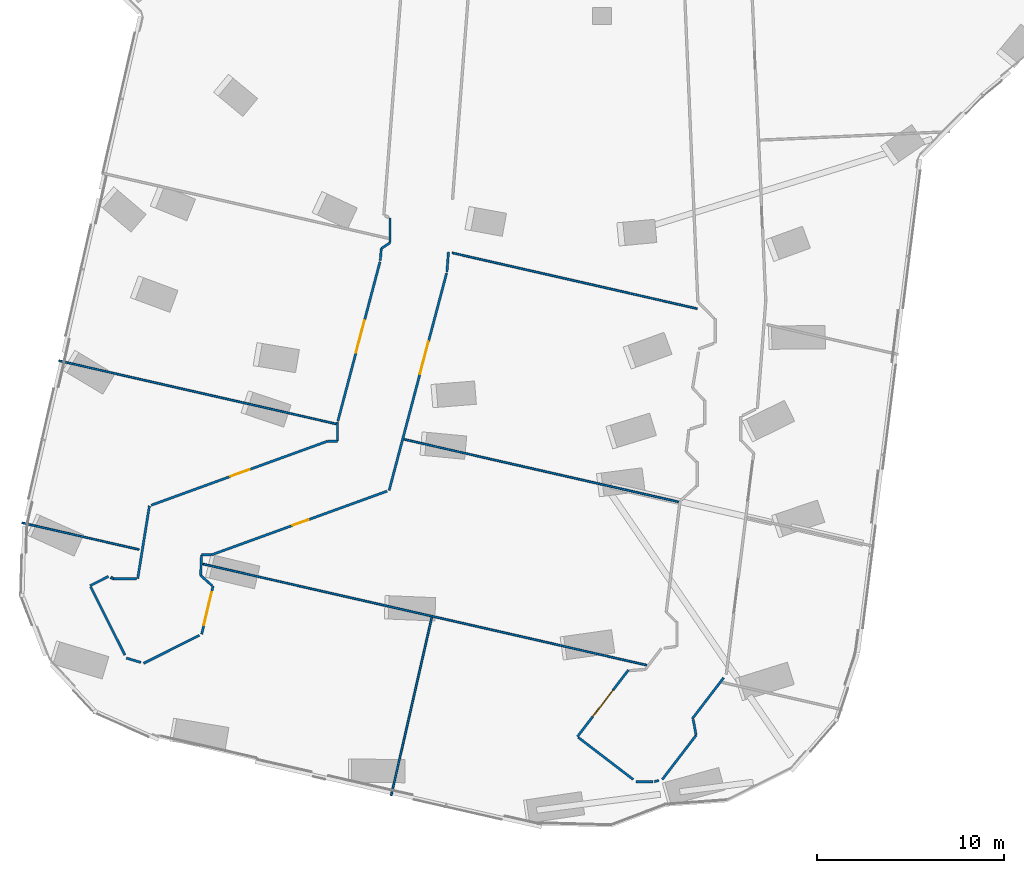
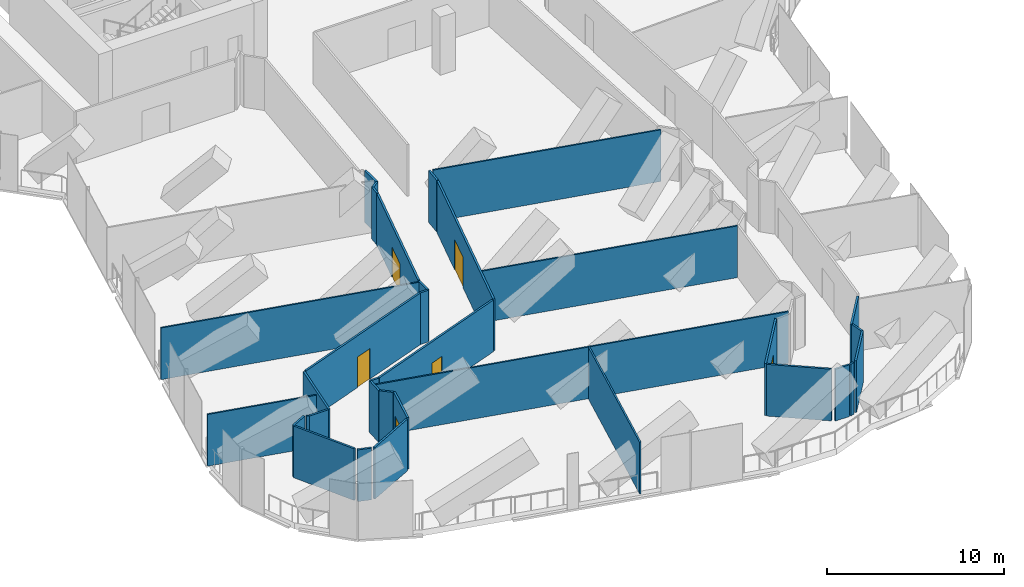
# One storey, part 20 of 29: 34 walls, 6 doors, 6 openings.
"""IFC4 building model written with IfcOpenShell, lengths in metres."""

from ifc_helpers import new_model, si_unit, direction, frame, frame_2d, origin, place, context, subcontext, project, spatial, rectangle, extrude, material, layer, layer_set, type_object, element, fill, save


model = new_model("IFC4")

# Units and contexts
model_context = context("Model", 3, precision=1e-05, world=origin(), true_north=direction((0.0, 1.0)))
body_context = subcontext(model_context, "Body", "Model", "MODEL_VIEW")
ifc_project = project(units=[si_unit("LENGTHUNIT", "METRE"), si_unit("AREAUNIT", "SQUARE_METRE"), si_unit("VOLUMEUNIT", "CUBIC_METRE"), si_unit("PLANEANGLEUNIT", "RADIAN"), si_unit("MASSUNIT", "GRAM", prefix="KILO")], contexts=[model_context])

# Site, building, storey
site_placement = place(None, origin())
site = spatial("IfcSite", under=ifc_project, at=site_placement, CompositionType="ELEMENT")
building_placement = place(site_placement, origin())
building = spatial("IfcBuilding", under=site, at=building_placement, Name="Orlundy Tower", CompositionType="ELEMENT")
storey_placement = place(building_placement, frame((0.0, 0.0, 184.60009765625)))
storey = spatial("IfcBuildingStorey", under=building, at=storey_placement, Name="L48", CompositionType="ELEMENT", Elevation=184.60009765625)

# Walls
ifc_material_1 = material(Name="Gypsum board partition")
ifc_layer_1 = layer(ifc_material_1, 0.10009765625)
ifc_layer_set_1 = layer_set([ifc_layer_1], Name="Floor partition 100")
wall_type_1 = type_object("IfcWallType", Name="Floor partition 100", PredefinedType="PARTITIONING", material=ifc_layer_set_1)
wall_1_placement = place(storey_placement, frame((-31.049072265625, -45.131103515625, 0.0), z_axis=(0.0, 0.0, 1.0), x_axis=(0.9750242684, -0.222098347653, 0.0)))
element("IfcWall", 1, at=wall_1_placement, inside=storey, type_object=wall_type_1, Name="wall-int-L48-014", PredefinedType="PARTITIONING", context=body_context, shape_type="SweptSolid", body=[
    extrude(rectangle(XDim=6.433837890625, YDim=0.10009765625, at=frame_2d((3.216796875, 0.0))), origin(), (0.0, 0.0, 1.0), 3.559814453125),
])
wall_2_placement = place(storey_placement, frame((-21.364013671875, -47.3369140625, 0.0), z_axis=(0.0, 0.0, 1.0), x_axis=(0.975026141861, -0.222090122894, 0.0)))
element("IfcWall", 2, at=wall_2_placement, inside=storey, type_object=wall_type_1, Name="wall-int-L48-015", PredefinedType="PARTITIONING", context=body_context, shape_type="SweptSolid", body=[
    extrude(rectangle(XDim=24.364501953125, YDim=0.10009765625, at=frame_2d((12.18212890625, 0.0))), origin(), (0.0, 0.0, 1.0), 3.559814453125),
])
wall_3_placement = place(storey_placement, frame((-29.072998046875, -36.452880859375, 0.0), z_axis=(0.0, 0.0, 1.0), x_axis=(0.975016001199, -0.222134638017, 0.0)))
element("IfcWall", 3, at=wall_3_placement, inside=storey, type_object=wall_type_1, Name="wall-int-L48-017", PredefinedType="PARTITIONING", context=body_context, shape_type="SweptSolid", body=[
    extrude(rectangle(XDim=15.225341796875, YDim=0.10009765625, at=frame_2d((7.61279296875, 0.0))), origin(), (0.0, 0.0, 1.0), 3.559814453125),
])
wall_4_placement = place(storey_placement, frame((-10.60498046875, -40.659912109375, 0.0), z_axis=(0.0, 0.0, 1.0), x_axis=(0.975014665888, -0.222140499018, 0.0)))
element("IfcWall", 4, at=wall_4_placement, inside=storey, type_object=wall_type_1, Name="wall-int-L48-018", PredefinedType="PARTITIONING", context=body_context, shape_type="SweptSolid", body=[
    extrude(rectangle(XDim=15.09423828125, YDim=0.10009765625, at=frame_2d((7.547119140625, 0.0))), origin(), (0.0, 0.0, 1.0), 3.559814453125),
])
wall_5_placement = place(storey_placement, frame((-8.014892578125, -30.679931640625, 0.0), z_axis=(0.0, 0.0, 1.0), x_axis=(0.97502357008, -0.222101413298, 0.0)))
element("IfcWall", 5, at=wall_5_placement, inside=storey, type_object=wall_type_1, Name="wall-int-L48-021", PredefinedType="PARTITIONING", context=body_context, shape_type="SweptSolid", body=[
    extrude(rectangle(XDim=13.444580078125, YDim=0.10009765625, at=frame_2d((6.72216796875, 0.0))), origin(), (0.0, 0.0, 1.0), 3.559814453125),
])
wall_6_placement = place(storey_placement, frame((-11.282958984375, -59.736083984375, 0.0), z_axis=(0.0, 0.0, 1.0), x_axis=(0.222142221774, 0.975014273385, 0.0)))
element("IfcWall", 6, at=wall_6_placement, inside=storey, type_object=wall_type_1, Name="wall-int-L48-070", PredefinedType="PARTITIONING", context=body_context, shape_type="SweptSolid", body=[
    extrude(rectangle(XDim=9.800048828125, YDim=0.10009765625, at=frame_2d((4.89990234375, 0.0))), origin(), (0.0, 0.0, 1.0), 3.559814453125),
])
ifc_material_2 = material(Name="Gypsum board partition, double layer")
ifc_layer_2 = layer(ifc_material_2, 0.125)
ifc_layer_set_2 = layer_set([ifc_layer_2], Name="Floor partition 125")
wall_type_2 = type_object("IfcWallType", Name="Floor partition 125", PredefinedType="PARTITIONING", material=ifc_layer_set_2)
wall_7_placement = place(storey_placement, frame((-27.375, -48.552001953125, 0.0), z_axis=(0.0, 0.0, 1.0), x_axis=(0.448858494017, -0.89360284934, 0.0)))
element("IfcWall", 7, at=wall_7_placement, inside=storey, type_object=wall_type_2, Name="wall-int-L48-004", PredefinedType="PARTITIONING", context=body_context, shape_type="SweptSolid", body=[
    extrude(rectangle(XDim=4.094482421875, YDim=0.125, at=frame_2d((2.04736328125, 0.0))), origin(), (0.0, 0.0, 1.0), 3.559814453125),
])
wall_8_placement = place(storey_placement, frame((-1.26708984375, -56.617919921875, 0.0), z_axis=(0.0, 0.0, 1.0), x_axis=(0.793957338067, -0.607973474199, 0.0)))
element("IfcWall", 8, at=wall_8_placement, inside=storey, type_object=wall_type_2, Name="wall-int-L48-008", PredefinedType="PARTITIONING", context=body_context, shape_type="SweptSolid", body=[
    extrude(rectangle(XDim=3.704345703125, YDim=0.125, at=frame_2d((1.85205078125, 0.0))), origin(), (0.0, 0.0, 1.0), 3.559814453125),
])
wall_9_placement = place(storey_placement, frame((4.883056640625, -55.658935546875, 0.0), z_axis=(0.0, 0.0, 1.0), x_axis=(0.183067904458, -0.983100270754, 0.0)))
element("IfcWall", 9, at=wall_9_placement, inside=storey, type_object=wall_type_2, Name="wall-int-L48-009", PredefinedType="PARTITIONING", context=body_context, shape_type="SweptSolid", body=[
    extrude(rectangle(XDim=0.857421875, YDim=0.125, at=frame_2d((0.4287109375, 0.0))), origin(), (0.0, 0.0, 1.0), 3.559814453125),
])
wall_10_placement = place(storey_placement, frame((-26.294921875, -48.053955078125, 0.0), z_axis=(0.0, 0.0, 1.0), x_axis=(0.915946287807, -0.401300881949, 0.0)))
element("IfcWall", 10, at=wall_10_placement, inside=storey, type_object=wall_type_2, Name="wall-int-L48-011", PredefinedType="PARTITIONING", context=body_context, shape_type="SweptSolid", body=[
    extrude(rectangle(XDim=0.159423828125, YDim=0.125, at=frame_2d((0.07958984375, 0.0))), origin(), (0.0, 0.0, 1.0), 3.559814453125),
])
wall_11_placement = place(storey_placement, frame((-25.4560546875, -52.3720703125, 0.0), z_axis=(0.0, 0.0, 1.0), x_axis=(0.957601580573, -0.288095839756, 0.0)))
element("IfcWall", 11, at=wall_11_placement, inside=storey, type_object=wall_type_2, Name="wall-int-L48-012", PredefinedType="PARTITIONING", context=body_context, shape_type="SweptSolid", body=[
    extrude(rectangle(XDim=0.808349609375, YDim=0.125, at=frame_2d((0.404296875, 0.0))), origin(), (0.0, 0.0, 1.0), 3.559814453125),
])
wall_12_placement = place(storey_placement, frame((-21.48095703125, -47.947998046875, 0.0), z_axis=(0.0, 0.0, 1.0), x_axis=(0.745477690797, -0.666530578837, 0.0)))
element("IfcWall", 12, at=wall_12_placement, inside=storey, type_object=wall_type_2, Name="wall-int-L48-013", PredefinedType="PARTITIONING", context=body_context, shape_type="SweptSolid", body=[
    extrude(rectangle(XDim=0.810302734375, YDim=0.125, at=frame_2d((0.4052734375, 0.0))), origin(), (0.0, 0.0, 1.0), 3.559814453125),
])
wall_13_placement = place(storey_placement, frame((1.823974609375, -58.985107421875, 0.0), z_axis=(0.0, 0.0, 1.0), x_axis=(1.0, 0.0, 0.0)))
element("IfcWall", 13, at=wall_13_placement, inside=storey, type_object=wall_type_2, Name="wall-int-L48-023", PredefinedType="PARTITIONING", context=body_context, shape_type="SweptSolid", body=[
    extrude(rectangle(XDim=0.919921875, YDim=0.125, at=frame_2d((0.4599609375, 0.0))), origin(), (0.0, 0.0, 1.0), 3.559814453125),
])
wall_14_placement = place(storey_placement, frame((-26.14892578125, -48.117919921875, 0.0), z_axis=(0.0, 0.0, 1.0), x_axis=(1.0, 0.0, 0.0)))
element("IfcWall", 14, at=wall_14_placement, inside=storey, type_object=wall_type_2, Name="wall-int-L48-025", PredefinedType="PARTITIONING", context=body_context, shape_type="SweptSolid", body=[
    extrude(rectangle(XDim=1.23583984375, YDim=0.125, at=frame_2d((0.617919921875, 0.0))), origin(), (0.0, 0.0, 1.0), 3.559814453125),
])
for number, where, z_axis, x_axis, name in (
    (15, (-21.43505859375, -46.842041015625, 0.0), (0.0, 0.0, 1.0), (1.0, 0.0, 0.0), "wall-int-L48-026"),
    (16, (-14.697021484375, -40.761962890625, 0.0), (0.0, 0.0, 1.0), (1.0, 0.0, 0.0), "wall-int-L48-028"),
):
    element("IfcWall", number, at=place(storey_placement, frame(where, z_axis=z_axis, x_axis=x_axis)), inside=storey, type_object=wall_type_2, Name=name, PredefinedType="PARTITIONING", context=body_context, shape_type="SweptSolid", body=[
        extrude(rectangle(XDim=0.54296875, YDim=0.125, at=frame_2d((0.271484375, 0.0))), origin(), (0.0, 0.0, 1.0), 3.559814453125),
    ])
wall_15_placement = place(storey_placement, frame((-11.81396484375, -30.447021484375, 0.0), z_axis=(0.0, 0.0, 1.0), x_axis=(0.832846512969, 0.553504007064, 0.0)))
element("IfcWall", 17, at=wall_15_placement, inside=storey, type_object=wall_type_2, Name="wall-int-L48-032", PredefinedType="PARTITIONING", context=body_context, shape_type="SweptSolid", body=[
    extrude(rectangle(XDim=0.5654296875, YDim=0.125, at=frame_2d((0.28271484375, 0.0))), origin(), (0.0, 0.0, 1.0), 3.559814453125),
])
wall_16_placement = place(storey_placement, frame((2.805908203125, -58.985107421875, 0.0), z_axis=(0.0, 0.0, 1.0), x_axis=(0.964651529942, 0.263528794974, 0.0)))
element("IfcWall", 18, at=wall_16_placement, inside=storey, type_object=wall_type_2, Name="wall-int-L48-051", PredefinedType="PARTITIONING", context=body_context, shape_type="SweptSolid", body=[
    extrude(rectangle(XDim=0.2509765625, YDim=0.125, at=frame_2d((0.12548828125, 0.0))), origin(), (0.0, 0.0, 1.0), 3.559814453125),
])

# Wall, opening, door
wall_17_placement = place(storey_placement, frame((-11.5048828125, -43.43505859375, 0.0), z_axis=(0.0, 0.0, 1.0), x_axis=(-0.940003814224, -0.341163933095, 0.0)))
wall_17 = element("IfcWall", 19, at=wall_17_placement, inside=storey, type_object=wall_type_2, Name="wall-int-L48-054", PredefinedType="PARTITIONING", context=body_context, shape_type="SweptSolid", body=[
    extrude(rectangle(XDim=9.986328125, YDim=0.125, at=frame_2d((4.9931640625, 0.0))), origin(), (0.0, 0.0, 1.0), 3.559814453125),
])
opening_1_placement = place(wall_17_placement, frame((4.48046875, 0.0, 0.0)))
opening_1 = element("IfcOpeningElement", 20, at=opening_1_placement, cuts=wall_17, Name="Opening 37105", PredefinedType="OPENING", context=body_context, shape_type="SweptSolid", body=[
    extrude(rectangle(XDim=0.89990234375, YDim=2.10009765625, at=frame_2d((0.449951171875, 1.050048828125))), frame((0.0, 0.072509765625, 0.0), z_axis=(0.0, -1.0, 0.0), x_axis=(1.0, 0.0, 0.0)), (0.0, 0.0, 1.0), 0.14501953125),
])
ifc_material_3 = material(Name="Timber door leaf", Category="wood")
door_type_1 = type_object("IfcDoorType", Name="Floor door single 900 FD30S", OperationType="NOTDEFINED", PredefinedType="DOOR", material=ifc_material_3)
door_1_placement = place(opening_1_placement, origin())
door_1 = element("IfcDoor", 21, at=door_1_placement, inside=storey, type_object=door_type_1, Name="Door 37105", OperationType="SINGLE_SWING_LEFT", OverallHeight=2.10009765625, OverallWidth=0.89990234375, PredefinedType="DOOR", context=body_context, shape_type="SweptSolid", body=[
    extrude(rectangle(XDim=0.89990234375, YDim=2.10009765625, at=frame_2d((0.449951171875, 1.050048828125))), frame((0.0, 0.02490234375, 0.0), z_axis=(0.0, -1.0, 0.0), x_axis=(1.0, 0.0, 0.0)), (0.0, 0.0, 1.0), 0.050048828125),
])
fill(opening_1, door_1)

wall_18_placement = place(storey_placement, frame((-24.125, -44.18603515625, 0.0), z_axis=(0.0, 0.0, 1.0), x_axis=(0.939961739334, 0.341279839118, 0.0)))
wall_18 = element("IfcWall", 22, at=wall_18_placement, inside=storey, type_object=wall_type_2, Name="wall-int-L48-055", PredefinedType="PARTITIONING", context=body_context, shape_type="SweptSolid", body=[
    extrude(rectangle(XDim=10.0302734375, YDim=0.125, at=frame_2d((5.01513671875, 0.0))), origin(), (0.0, 0.0, 1.0), 3.559814453125),
])
opening_2_placement = place(wall_18_placement, frame((4.49365234375, 0.0, 0.0)))
opening_2 = element("IfcOpeningElement", 23, at=opening_2_placement, cuts=wall_18, Name="Opening 37104", PredefinedType="OPENING", context=body_context, shape_type="SweptSolid", body=[
    extrude(rectangle(XDim=1.10009765625, YDim=2.10009765625, at=frame_2d((0.550048828125, 1.050048828125))), frame((0.0, 0.072509765625, 0.0), z_axis=(0.0, -1.0, 0.0), x_axis=(1.0, 0.0, 0.0)), (0.0, 0.0, 1.0), 0.14501953125),
])
ifc_material_4 = material(Name="Timber door leaf", Category="wood")
door_type_2 = type_object("IfcDoorType", Name="Floor door xwide 1100 FD30S", OperationType="NOTDEFINED", PredefinedType="DOOR", material=ifc_material_4)
door_2_placement = place(opening_2_placement, origin())
door_2 = element("IfcDoor", 24, at=door_2_placement, inside=storey, type_object=door_type_2, Name="Door 37104", OperationType="SINGLE_SWING_RIGHT", OverallHeight=2.10009765625, OverallWidth=1.10009765625, PredefinedType="DOOR", context=body_context, shape_type="SweptSolid", body=[
    extrude(rectangle(XDim=1.10009765625, YDim=2.10009765625, at=frame_2d((0.550048828125, 1.050048828125))), frame((0.0, 0.02490234375, 0.0), z_axis=(0.0, -1.0, 0.0), x_axis=(1.0, 0.0, 0.0)), (0.0, 0.0, 1.0), 0.050048828125),
])
fill(opening_2, door_2)

# Walls
wall_19_placement = place(storey_placement, frame((-27.403076171875, -48.4951171875, 0.0), z_axis=(0.0, 0.0, 1.0), x_axis=(0.893851627954, 0.448362874472, 0.0)))
element("IfcWall", 25, at=wall_19_placement, inside=storey, type_object=wall_type_2, Name="wall-int-L48-057", PredefinedType="PARTITIONING", context=body_context, shape_type="SweptSolid", body=[
    extrude(rectangle(XDim=1.104248046875, YDim=0.125, at=frame_2d((0.55224609375, 0.0))), origin(), (0.0, 0.0, 1.0), 3.559814453125),
])
wall_20_placement = place(storey_placement, frame((-24.531982421875, -52.64990234375, 0.0), z_axis=(0.0, 0.0, 1.0), x_axis=(0.89353443756, 0.448994664661, 0.0)))
element("IfcWall", 26, at=wall_20_placement, inside=storey, type_object=wall_type_2, Name="wall-int-L48-058", PredefinedType="PARTITIONING", context=body_context, shape_type="SweptSolid", body=[
    extrude(rectangle(XDim=3.343017578125, YDim=0.125, at=frame_2d((1.67138671875, 0.0))), origin(), (0.0, 0.0, 1.0), 3.559814453125),
])
wall_21_placement = place(storey_placement, frame((3.22705078125, -58.8701171875, 0.0), z_axis=(0.0, 0.0, 1.0), x_axis=(0.607881473211, 0.794027779443, 0.0)))
element("IfcWall", 27, at=wall_21_placement, inside=storey, type_object=wall_type_2, Name="wall-int-L48-062", PredefinedType="PARTITIONING", context=body_context, shape_type="SweptSolid", body=[
    extrude(rectangle(XDim=2.982421875, YDim=0.125, at=frame_2d((1.4912109375, 0.0))), origin(), (0.0, 0.0, 1.0), 3.559814453125),
])
wall_22_placement = place(storey_placement, frame((4.8330078125, -55.62109375, 0.0), z_axis=(0.0, 0.0, 1.0), x_axis=(0.607810491172, 0.794082115918, 0.0)))
element("IfcWall", 28, at=wall_22_placement, inside=storey, type_object=wall_type_2, Name="wall-int-L48-063", PredefinedType="PARTITIONING", context=body_context, shape_type="SweptSolid", body=[
    extrude(rectangle(XDim=2.765625, YDim=0.125, at=frame_2d((1.3828125, 0.0))), origin(), (0.0, 0.0, 1.0), 3.559814453125),
])

# Wall, opening, door
wall_23_placement = place(storey_placement, frame((-1.31689453125, -56.580078125, 0.0), z_axis=(0.0, 0.0, 1.0), x_axis=(0.607810548227, 0.794082072247, 0.0)))
wall_23 = element("IfcWall", 29, at=wall_23_placement, inside=storey, type_object=wall_type_2, Name="wall-int-L48-064", PredefinedType="PARTITIONING", context=body_context, shape_type="SweptSolid", body=[
    extrude(rectangle(XDim=4.49951171875, YDim=0.125, at=frame_2d((2.249755859375, 0.0))), origin(), (0.0, 0.0, 1.0), 3.559814453125),
])
opening_3_placement = place(wall_23_placement, frame((1.35009765625, 0.0, 0.0)))
opening_3 = element("IfcOpeningElement", 30, at=opening_3_placement, cuts=wall_23, Name="Opening 37106", PredefinedType="OPENING", context=body_context, shape_type="SweptSolid", body=[
    extrude(rectangle(XDim=1.800048828125, YDim=2.10009765625, at=frame_2d((0.89990234375, 1.050048828125))), frame((0.0, 0.072509765625, 0.0), z_axis=(0.0, -1.0, 0.0), x_axis=(1.0, 0.0, 0.0)), (0.0, 0.0, 1.0), 0.14501953125),
])
ifc_material_5 = material(Name="Timber door leaf", Category="wood")
door_type_3 = type_object("IfcDoorType", Name="Floor door double 1800 FD30S", OperationType="NOTDEFINED", PredefinedType="DOOR", material=ifc_material_5)
door_3_placement = place(opening_3_placement, origin())
door_3 = element("IfcDoor", 31, at=door_3_placement, inside=storey, type_object=door_type_3, Name="Door 37106", OperationType="DOUBLE_DOOR_SINGLE_SWING", OverallHeight=2.10009765625, OverallWidth=1.800048828125, PredefinedType="DOOR", context=body_context, shape_type="SweptSolid", body=[
    extrude(rectangle(XDim=1.800048828125, YDim=2.10009765625, at=frame_2d((0.89990234375, 1.050048828125))), frame((0.0, 0.02490234375, 0.0), z_axis=(0.0, -1.0, 0.0), x_axis=(1.0, 0.0, 0.0)), (0.0, 0.0, 1.0), 0.050048828125),
])
fill(opening_3, door_3)

wall_24_placement = place(storey_placement, frame((-8.31494140625, -31.758056640625, 0.0), z_axis=(0.0, 0.0, 1.0), x_axis=(-0.255738124707, -0.966746094676, 0.0)))
wall_24 = element("IfcWall", 32, at=wall_24_placement, inside=storey, type_object=wall_type_2, Name="wall-int-L48-065", PredefinedType="PARTITIONING", context=body_context, shape_type="SweptSolid", body=[
    extrude(rectangle(XDim=12.0361328125, YDim=0.125, at=frame_2d((6.01806640625, 0.0))), origin(), (0.0, 0.0, 1.0), 3.559814453125),
])
opening_4_placement = place(wall_24_placement, frame((3.78759765625, 0.0, 0.0)))
opening_4 = element("IfcOpeningElement", 33, at=opening_4_placement, cuts=wall_24, Name="Opening 37103", PredefinedType="OPENING", context=body_context, shape_type="SweptSolid", body=[
    extrude(rectangle(XDim=1.800048828125, YDim=2.10009765625, at=frame_2d((0.89990234375, 1.050048828125))), frame((0.0, 0.072509765625, 0.0), z_axis=(0.0, -1.0, 0.0), x_axis=(1.0, 0.0, 0.0)), (0.0, 0.0, 1.0), 0.14501953125),
])
door_4_placement = place(opening_4_placement, origin())
door_4 = element("IfcDoor", 34, at=door_4_placement, inside=storey, type_object=door_type_3, Name="Door 37103", OperationType="DOUBLE_DOOR_SINGLE_SWING", OverallHeight=2.10009765625, OverallWidth=1.800048828125, PredefinedType="DOOR", context=body_context, shape_type="SweptSolid", body=[
    extrude(rectangle(XDim=1.800048828125, YDim=2.10009765625, at=frame_2d((0.89990234375, 1.050048828125))), frame((0.0, 0.02490234375, 0.0), z_axis=(0.0, -1.0, 0.0), x_axis=(1.0, 0.0, 0.0)), (0.0, 0.0, 1.0), 0.050048828125),
])
fill(opening_4, door_4)

wall_25_placement = place(storey_placement, frame((-14.136962890625, -39.68701171875, 0.0), z_axis=(0.0, 0.0, 1.0), x_axis=(0.255561854224, 0.966792707185, 0.0)))
wall_25 = element("IfcWall", 35, at=wall_25_placement, inside=storey, type_object=wall_type_2, Name="wall-int-L48-066", PredefinedType="PARTITIONING", context=body_context, shape_type="SweptSolid", body=[
    extrude(rectangle(XDim=8.8271484375, YDim=0.125, at=frame_2d((4.41357421875, 0.0))), origin(), (0.0, 0.0, 1.0), 3.559814453125),
])
opening_5_placement = place(wall_25_placement, frame((3.78759765625, 0.0, 0.0)))
opening_5 = element("IfcOpeningElement", 36, at=opening_5_placement, cuts=wall_25, Name="Opening 37102", PredefinedType="OPENING", context=body_context, shape_type="SweptSolid", body=[
    extrude(rectangle(XDim=1.800048828125, YDim=2.10009765625, at=frame_2d((0.89990234375, 1.050048828125))), frame((0.0, 0.072509765625, 0.0), z_axis=(0.0, -1.0, 0.0), x_axis=(1.0, 0.0, 0.0)), (0.0, 0.0, 1.0), 0.14501953125),
])
door_5_placement = place(opening_5_placement, origin())
door_5 = element("IfcDoor", 37, at=door_5_placement, inside=storey, type_object=door_type_3, Name="Door 37102", OperationType="DOUBLE_DOOR_SINGLE_SWING", OverallHeight=2.10009765625, OverallWidth=1.800048828125, PredefinedType="DOOR", context=body_context, shape_type="SweptSolid", body=[
    extrude(rectangle(XDim=1.800048828125, YDim=2.10009765625, at=frame_2d((0.89990234375, 1.050048828125))), frame((0.0, 0.02490234375, 0.0), z_axis=(0.0, -1.0, 0.0), x_axis=(1.0, 0.0, 0.0)), (0.0, 0.0, 1.0), 0.050048828125),
])
fill(opening_5, door_5)

wall_26_placement = place(storey_placement, frame((-20.81494140625, -48.501953125, 0.0), z_axis=(0.0, 0.0, 1.0), x_axis=(-0.229525642511, -0.973302614519, 0.0)))
wall_26 = element("IfcWall", 38, at=wall_26_placement, inside=storey, type_object=wall_type_2, Name="wall-int-L48-067", PredefinedType="PARTITIONING", context=body_context, shape_type="SweptSolid", body=[
    extrude(rectangle(XDim=2.658203125, YDim=0.125, at=frame_2d((1.3291015625, 0.0))), origin(), (0.0, 0.0, 1.0), 3.559814453125),
])
opening_6_placement = place(wall_26_placement, frame((0.35009765625, 0.0, 0.0)))
opening_6 = element("IfcOpeningElement", 39, at=opening_6_placement, cuts=wall_26, Name="Opening 37107", PredefinedType="OPENING", context=body_context, shape_type="SweptSolid", body=[
    extrude(rectangle(XDim=1.800048828125, YDim=2.10009765625, at=frame_2d((0.89990234375, 1.050048828125))), frame((0.0, 0.072509765625, 0.0), z_axis=(0.0, -1.0, 0.0), x_axis=(1.0, 0.0, 0.0)), (0.0, 0.0, 1.0), 0.14501953125),
])
door_6_placement = place(opening_6_placement, origin())
door_6 = element("IfcDoor", 40, at=door_6_placement, inside=storey, type_object=door_type_3, Name="Door 37107", OperationType="DOUBLE_DOOR_SINGLE_SWING", OverallHeight=2.10009765625, OverallWidth=1.800048828125, PredefinedType="DOOR", context=body_context, shape_type="SweptSolid", body=[
    extrude(rectangle(XDim=1.800048828125, YDim=2.10009765625, at=frame_2d((0.89990234375, 1.050048828125))), frame((0.0, 0.02490234375, 0.0), z_axis=(0.0, -1.0, 0.0), x_axis=(1.0, 0.0, 0.0)), (0.0, 0.0, 1.0), 0.050048828125),
])
fill(opening_6, door_6)

# Walls
wall_27_placement = place(storey_placement, frame((-21.48095703125, -47.947998046875, 0.0), z_axis=(0.0, 0.0, 1.0), x_axis=(0.041465410314, 0.999139940022, 0.0)))
element("IfcWall", 41, at=wall_27_placement, inside=storey, type_object=wall_type_2, Name="wall-int-L48-068", PredefinedType="PARTITIONING", context=body_context, shape_type="SweptSolid", body=[
    extrude(rectangle(XDim=1.10693359375, YDim=0.125, at=frame_2d((0.553466796875, 0.0))), origin(), (0.0, 0.0, 1.0), 3.559814453125),
])
wall_28_placement = place(storey_placement, frame((-24.22509765625, -44.221923828125, 0.0), z_axis=(0.0, 0.0, 1.0), x_axis=(-0.158637168475, -0.987336947945, 0.0)))
element("IfcWall", 42, at=wall_28_placement, inside=storey, type_object=wall_type_2, Name="wall-int-L48-069", PredefinedType="PARTITIONING", context=body_context, shape_type="SweptSolid", body=[
    extrude(rectangle(XDim=3.946044921875, YDim=0.125, at=frame_2d((1.97314453125, 0.0))), origin(), (0.0, 0.0, 1.0), 3.559814453125),
])
wall_29_placement = place(storey_placement, frame((-11.864990234375, -31.093017578125, 0.0), z_axis=(0.0, 0.0, 1.0), x_axis=(0.078741898184, 0.996895036336, 0.0)))
element("IfcWall", 43, at=wall_29_placement, inside=storey, type_object=wall_type_2, Name="wall-int-L48-076", PredefinedType="PARTITIONING", context=body_context, shape_type="SweptSolid", body=[
    extrude(rectangle(XDim=0.64794921875, YDim=0.125, at=frame_2d((0.323974609375, 0.0))), origin(), (0.0, 0.0, 1.0), 3.559814453125),
])
wall_30_placement = place(storey_placement, frame((-8.299072265625, -31.697021484375, 0.0), z_axis=(0.0, 0.0, 1.0), x_axis=(0.076941653797, 0.997035597113, 0.0)))
element("IfcWall", 44, at=wall_30_placement, inside=storey, type_object=wall_type_2, Name="wall-int-L48-077", PredefinedType="PARTITIONING", context=body_context, shape_type="SweptSolid", body=[
    extrude(rectangle(XDim=1.066162109375, YDim=0.125, at=frame_2d((0.533203125, 0.0))), origin(), (0.0, 0.0, 1.0), 3.559814453125),
])
wall_31_placement = place(storey_placement, frame((-11.343017578125, -30.134033203125, 0.0), z_axis=(0.0, 0.0, 1.0), x_axis=(0.0, 1.0, 0.0)))
element("IfcWall", 45, at=wall_31_placement, inside=storey, type_object=wall_type_2, Name="wall-int-L48-093", PredefinedType="PARTITIONING", context=body_context, shape_type="SweptSolid", body=[
    extrude(rectangle(XDim=1.31396484375, YDim=0.125, at=frame_2d((0.656982421875, 0.0))), origin(), (0.0, 0.0, 1.0), 3.559814453125),
])
wall_32_placement = place(storey_placement, frame((-14.154052734375, -40.761962890625, 0.0), z_axis=(0.0, 0.0, 1.0), x_axis=(0.0, 1.0, 0.0)))
element("IfcWall", 46, at=wall_32_placement, inside=storey, type_object=wall_type_2, Name="wall-int-L48-094", PredefinedType="PARTITIONING", context=body_context, shape_type="SweptSolid", body=[
    extrude(rectangle(XDim=1.030029296875, YDim=0.125, at=frame_2d((0.51513671875, 0.0))), origin(), (0.0, 0.0, 1.0), 3.559814453125),
])

save(model, "model.ifc")
